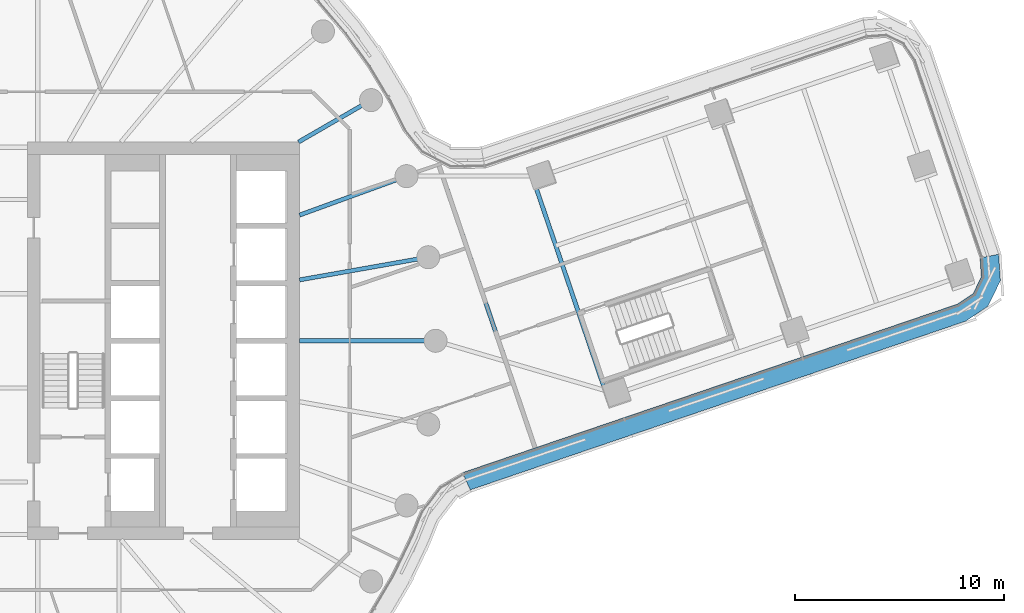
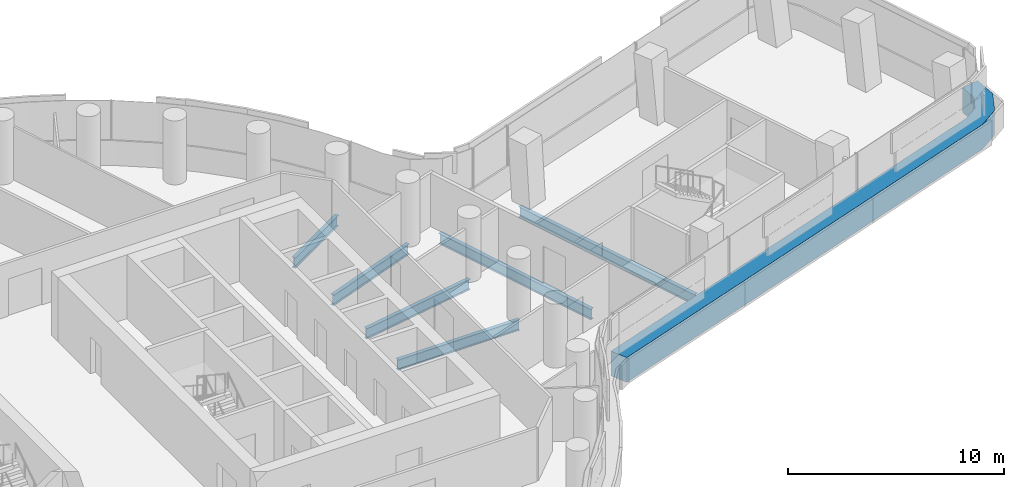
# One storey, part 10 of 29: 6 beams, 1 member, 1 element without a shape of its own.
"""IFC4 building model written with IfcOpenShell, lengths in metres."""

import ifcopenshell
import ifcopenshell.guid

model = None  # the IFC model being written
_history = None  # IfcOwnerHistory: only IFC2X3 demands one
_inside = {}  # id of a spatial element -> (the spatial element, [elements in it])
_under = {}  # id of a project, library or spatial element -> (it, [spatial elements below it])
_declared = {}  # id of a project -> (the project, [libraries it declares])
_typed = {}  # id of a type object -> (the type object, [elements of that type])
_made_of = {}  # id of a material, layer set ... -> (it, [elements and type objects made of it])


def new_model(schema):
    """Start an empty IFC model of exactly this schema.

    Asked for "IFC4X3", IfcOpenShell would pick the latest addendum, in which some entities
    have other attributes; the version numbers below select the first issue.
    IFC2X3 requires an IfcOwnerHistory on every rooted entity: one is made here for all.
    """
    global model, _history
    if schema == "IFC4X3":
        model = ifcopenshell.file(schema_version=(4, 3, 0, 0))
    else:
        model = ifcopenshell.file(schema=schema)
    _inside.clear()
    _under.clear()
    _declared.clear()
    _typed.clear()
    _made_of.clear()
    _history = None
    if model.schema == "IFC2X3":
        org = make("IfcOrganization", Name="unknown")
        user = make(
            "IfcPersonAndOrganization",
            ThePerson=make("IfcPerson", FamilyName="unknown"),
            TheOrganization=org,
        )
        app = make(
            "IfcApplication",
            ApplicationDeveloper=org,
            Version="unknown",
            ApplicationFullName="unknown",
            ApplicationIdentifier="unknown",
        )
        _history = make(
            "IfcOwnerHistory",
            OwningUser=user,
            OwningApplication=app,
            ChangeAction="ADDED",
            CreationDate=0,
        )
    return model


def make(cls, **values):
    """One entity of the class cls with the attributes given. An attribute that is None is left unset."""
    return model.create_entity(
        cls, **{name: value for name, value in values.items() if value is not None}
    )


def rooted(cls, **values):
    """An entity with a GlobalId (a new one), such as an element, a storey or a relation."""
    return make(cls, GlobalId=ifcopenshell.guid.new(), OwnerHistory=_history, **values)


def si_unit(unit_type, name, prefix=None):
    """IfcSIUnit, for example si_unit("LENGTHUNIT", "METRE", prefix="MILLI")."""
    return make("IfcSIUnit", UnitType=unit_type, Prefix=prefix, Name=name)


def assignment(units):
    """IfcUnitAssignment: the units of a project."""
    return None if units is None else make("IfcUnitAssignment", Units=units)


def point(xyz):
    """IfcCartesianPoint."""
    return None if xyz is None else make("IfcCartesianPoint", Coordinates=xyz)


def direction(xyz):
    """IfcDirection."""
    return None if xyz is None else make("IfcDirection", DirectionRatios=xyz)


def frame(location, z_axis=None, x_axis=None):
    """IfcAxis2Placement3D, a coordinate frame: its origin and axes. An axis left out is left unset."""
    return make(
        "IfcAxis2Placement3D",
        Location=point(location),
        Axis=direction(z_axis),
        RefDirection=direction(x_axis),
    )


def frame_2d(location, x_axis=None):
    """IfcAxis2Placement2D, a coordinate frame in the plane: its origin and x axis."""
    return make(
        "IfcAxis2Placement2D", Location=point(location), RefDirection=direction(x_axis)
    )


def origin():
    """The frame at (0, 0, 0) with its axes left unset."""
    return frame((0.0, 0.0, 0.0))


def origin_2d():
    """The frame at (0, 0) in the plane with its x axis left unset."""
    return frame_2d((0.0, 0.0))


def place(relative_to, where):
    """IfcLocalPlacement: puts the frame where relative to a parent placement (None: the world)."""
    return make(
        "IfcLocalPlacement", PlacementRelTo=relative_to, RelativePlacement=where
    )


def context(
    kind, dimensions, precision=None, world=None, true_north=None, identifier=None
):
    """IfcGeometricRepresentationContext, for example the 3D "Model" context."""
    return make(
        "IfcGeometricRepresentationContext",
        ContextIdentifier=identifier,
        ContextType=kind,
        CoordinateSpaceDimension=dimensions,
        Precision=precision,
        WorldCoordinateSystem=world,
        TrueNorth=true_north,
    )


def subcontext(parent, identifier, kind, view, scale=None):
    """IfcGeometricRepresentationSubContext, for example "Body" below "Model"."""
    return make(
        "IfcGeometricRepresentationSubContext",
        ContextIdentifier=identifier,
        ContextType=kind,
        ParentContext=parent,
        TargetScale=scale,
        TargetView=view,
    )


def project(units=None, contexts=None):
    """IfcProject with its units and contexts."""
    return rooted(
        "IfcProject",
        Name="project",
        RepresentationContexts=contexts,
        UnitsInContext=assignment(units),
    )


def spatial(cls, under=None, at=None, **own):
    """A site, building, storey or space (cls), placed at a placement, below another one or the project."""
    s = rooted(cls, ObjectPlacement=at, **own)
    if under is not None:
        _under.setdefault(under.id(), (under, []))[1].append(s)
    return s


def polyline(points):
    """IfcPolyline through the points."""
    return make("IfcPolyline", Points=[point(p) for p in points])


def profile(cls, at=None, kind="AREA", **sizes):
    """A parametric profile (cls). Its sizes go by their IFC names, for example OverallWidth=200.0."""
    return make(cls, ProfileType=kind, Position=at, **sizes)


def i_section(**sizes):
    """IfcIShapeProfileDef."""
    return profile("IfcIShapeProfileDef", **sizes)


def outline(outer, holes=None, kind="AREA"):
    """IfcArbitraryClosedProfileDef: a profile drawn as a closed curve; with holes, ...WithVoids."""
    if holes is None:
        return make("IfcArbitraryClosedProfileDef", ProfileType=kind, OuterCurve=outer)
    return make(
        "IfcArbitraryProfileDefWithVoids",
        ProfileType=kind,
        OuterCurve=outer,
        InnerCurves=holes,
    )


def extrude(swept, where, along, depth):
    """IfcExtrudedAreaSolid: the profile swept, set in the frame where, extruded along a direction by depth."""
    return make(
        "IfcExtrudedAreaSolid",
        SweptArea=swept,
        Position=where,
        ExtrudedDirection=direction(along),
        Depth=depth,
    )


def shape(context_of_items, identifier, shape_type, items):
    """IfcShapeRepresentation: the items that make up one representation, for example the "Body"."""
    return make(
        "IfcShapeRepresentation",
        ContextOfItems=context_of_items,
        RepresentationIdentifier=identifier,
        RepresentationType=shape_type,
        Items=items,
    )


def material(Name=None, Category=None):
    """IfcMaterial."""
    return make("IfcMaterial", Name=Name, Category=Category)


def layer(
    of_material, thickness, ventilated=None, Name=None, Category=None, Priority=None
):
    """IfcMaterialLayer: one layer of a wall or slab, of a material (None: an air gap)."""
    return make(
        "IfcMaterialLayer",
        Material=of_material,
        LayerThickness=thickness,
        IsVentilated=ventilated,
        Name=Name,
        Category=Category,
        Priority=Priority,
    )


def layer_set(layers, Name=None):
    """IfcMaterialLayerSet."""
    return make("IfcMaterialLayerSet", MaterialLayers=layers, LayerSetName=Name)


def material_profile(
    of_material, cross_section, Name=None, Category=None, Priority=None
):
    """IfcMaterialProfile: a cross section and its material."""
    return make(
        "IfcMaterialProfile",
        Name=Name,
        Material=of_material,
        Profile=cross_section,
        Priority=Priority,
        Category=Category,
    )


def profile_set(profiles, Name=None, composite=None):
    """IfcMaterialProfileSet."""
    return make(
        "IfcMaterialProfileSet",
        Name=Name,
        MaterialProfiles=profiles,
        CompositeProfile=composite,
    )


def made_of(thing, what):
    """Note that an element or type object is made of a material, layer set ...; save() writes the relation."""
    if what is not None:
        _made_of.setdefault(what.id(), (what, []))[1].append(thing)
    return thing


def type_object(cls, material=None, **own):
    """A type object (cls), such as IfcWallType, which elements share."""
    return made_of(rooted(cls, **own), material)


def element(
    cls,
    number,
    at=None,
    inside=None,
    cuts=None,
    type_object=None,
    material=None,
    context=None,
    identifier="Body",
    shape_type=None,
    held_by="IfcProductDefinitionShape",
    body=None,
    shapes=None,
    **own,
):
    """One element of the class cls, such as IfcWall. Its Tag is "e" and its number.

    at: its placement. inside: the storey or other place that contains it. cuts: it is an
    opening in that element (IfcRelVoidsElement). A single representation is given by context,
    identifier, shape_type and body (its items); several are given by shapes. held_by: the class
    of the entity that holds the representations. save() writes the other relations.
    """
    e = rooted(cls, Tag="e%d" % number, ObjectPlacement=at, **own)
    if body is not None:
        shapes = [shape(context, identifier, shape_type, body)]
    if shapes is not None:
        e.Representation = make(held_by, Representations=shapes)
    if inside is not None:
        _inside.setdefault(inside.id(), (inside, []))[1].append(e)
    if cuts is not None:
        rooted(
            "IfcRelVoidsElement", RelatingBuildingElement=cuts, RelatedOpeningElement=e
        )
    if type_object is not None:
        _typed.setdefault(type_object.id(), (type_object, []))[1].append(e)
    return made_of(e, material)


def aggregate(whole, parts):
    """IfcRelAggregates: a whole, such as a stair, and the parts it consists of."""
    return rooted("IfcRelAggregates", RelatingObject=whole, RelatedObjects=parts)


def save(model, path):
    """Write the relations noted so far, then the file.

    IfcRelAggregates (storeys below a building ...), IfcRelContainedInSpatialStructure (elements
    in a storey), IfcRelDefinesByType, IfcRelAssociatesMaterial and IfcRelDeclares: one each for
    every whole, place, type object, material and project.
    """
    for whole, parts in _under.values():
        aggregate(whole, parts)
    for where, things in _inside.values():
        rooted(
            "IfcRelContainedInSpatialStructure",
            RelatedElements=things,
            RelatingStructure=where,
        )
    for kind, things in _typed.values():
        rooted("IfcRelDefinesByType", RelatedObjects=things, RelatingType=kind)
    for what, things in _made_of.values():
        rooted("IfcRelAssociatesMaterial", RelatedObjects=things, RelatingMaterial=what)
    for by, libraries in _declared.values():
        rooted("IfcRelDeclares", RelatingContext=by, RelatedDefinitions=libraries)
    model.write(path)


model = new_model("IFC4")

# Units and contexts
model_context = context("Model", 3, precision=1e-05, world=origin(), true_north=direction((0.0, 1.0)))
body_context = subcontext(model_context, "Body", "Model", "MODEL_VIEW")
ifc_project = project(units=[si_unit("LENGTHUNIT", "METRE"), si_unit("AREAUNIT", "SQUARE_METRE"), si_unit("VOLUMEUNIT", "CUBIC_METRE"), si_unit("PLANEANGLEUNIT", "RADIAN"), si_unit("MASSUNIT", "GRAM", prefix="KILO")], contexts=[model_context])

# Site, building, storey
site_placement = place(None, origin())
site = spatial("IfcSite", under=ifc_project, at=site_placement, CompositionType="ELEMENT")
building_placement = place(site_placement, origin())
building = spatial("IfcBuilding", under=site, at=building_placement, Name="Tamarind Cross Interchange Tower", CompositionType="ELEMENT")
storey_placement = place(building_placement, frame((0.0, 0.0, 102.25)))
storey = spatial("IfcBuildingStorey", under=building, at=storey_placement, Name="L24", CompositionType="ELEMENT", Elevation=102.25)

# Beams
ifc_material_1 = material(Name="Steel Q355B", Category="steel")
ifc_material_profile_1 = material_profile(ifc_material_1, i_section(OverallWidth=0.198974609375, OverallDepth=0.595947265625, WebThickness=0.010009765625, FlangeThickness=0.014892578125, FilletRadius=0.012939453125, at=origin_2d()), Name="HN 596x199x10x15")
ifc_profile_set_1 = profile_set([ifc_material_profile_1], Name="Steel Q355B")
beam_type_1 = type_object("IfcBeamType", Name="Composite beam HN 596x199x10x15 Q355B", PredefinedType="BEAM", material=ifc_profile_set_1)
beam_1_placement = place(storey_placement, frame((23.0, 0.0, -0.43798828125), z_axis=(-1.0, 0.0, 0.0), x_axis=(0.0, -1.0, 0.0)))
element("IfcBeam", 1, at=beam_1_placement, inside=storey, type_object=beam_type_1, Name="Beam HH00", PredefinedType="BEAM", context=body_context, shape_type="SweptSolid", body=[
    extrude(i_section(OverallWidth=0.198974609375, OverallDepth=0.595947265625, WebThickness=0.010009765625, FlangeThickness=0.014892578125, FilletRadius=0.012939453125, at=origin_2d()), origin(), (0.0, 0.0, 1.0), 6.5),
])
beam_2_placement = place(storey_placement, frame((22.650634765625, 3.993896484375, -0.43798828125), z_axis=(-0.984809127561, -0.173640382036, 0.0), x_axis=(0.173640382036, -0.984809127561, 0.0)))
element("IfcBeam", 2, at=beam_2_placement, inside=storey, type_object=beam_type_1, Name="Beam HH01", PredefinedType="BEAM", context=body_context, shape_type="SweptSolid", body=[
    extrude(i_section(OverallWidth=0.198974609375, OverallDepth=0.595947265625, WebThickness=0.010009765625, FlangeThickness=0.014892578125, FilletRadius=0.012939453125, at=origin_2d()), origin(), (0.0, 0.0, 1.0), 6.24560546875),
])
beam_3_placement = place(storey_placement, frame((21.613037109375, 7.866455078125, -0.43798828125), z_axis=(-0.939701685589, -0.341995236956, 0.0), x_axis=(0.341995236956, -0.939701685589, 0.0)))
element("IfcBeam", 3, at=beam_3_placement, inside=storey, type_object=beam_type_1, Name="Beam HH02", PredefinedType="BEAM", context=body_context, shape_type="SweptSolid", body=[
    extrude(i_section(OverallWidth=0.198974609375, OverallDepth=0.595947265625, WebThickness=0.010009765625, FlangeThickness=0.014892578125, FilletRadius=0.012939453125, at=origin_2d()), origin(), (0.0, 0.0, 1.0), 5.441162109375),
])
beam_4_placement = place(storey_placement, frame((19.918701171875, 11.5, -0.43798828125), z_axis=(-0.866026010844, -0.49999894854, 0.0), x_axis=(0.49999894854, -0.866026010844, 0.0)))
element("IfcBeam", 4, at=beam_4_placement, inside=storey, type_object=beam_type_1, Name="Beam HH03", PredefinedType="BEAM", context=body_context, shape_type="SweptSolid", body=[
    extrude(i_section(OverallWidth=0.198974609375, OverallDepth=0.595947265625, WebThickness=0.010009765625, FlangeThickness=0.014892578125, FilletRadius=0.012939453125, at=origin_2d()), origin(), (0.0, 0.0, 1.0), 4.0),
])
ifc_material_profile_2 = material_profile(ifc_material_1, i_section(OverallWidth=0.199951171875, OverallDepth=0.60009765625, WebThickness=0.010986328125, FlangeThickness=0.01708984375, FilletRadius=0.012939453125, at=origin_2d()), Name="HN 600x200x11x17")
ifc_profile_set_2 = profile_set([ifc_material_profile_2], Name="Steel Q355B")
beam_type_2 = type_object("IfcBeamType", Name="Composite beam HN 600x200x11x17 Q355B", PredefinedType="BEAM", material=ifc_profile_set_2)
beam_5_placement = place(storey_placement, frame((31.101806640625, -2.375732421875, -0.43994140625), z_axis=(-0.322372491002, 0.946612897147, 0.0), x_axis=(-0.946612897147, -0.322372491002, 0.0)))
element("IfcBeam", 5, at=beam_5_placement, inside=storey, type_object=beam_type_2, Name="Beam E-x298", PredefinedType="BEAM", context=body_context, shape_type="SweptSolid", body=[
    extrude(i_section(OverallWidth=0.199951171875, OverallDepth=0.60009765625, WebThickness=0.010986328125, FlangeThickness=0.01708984375, FilletRadius=0.012939453125, at=origin_2d()), origin(), (0.0, 0.0, 1.0), 10.8349609375),
])
beam_6_placement = place(storey_placement, frame((26.3486328125, -0.98193359375, -0.43994140625), z_axis=(-0.322361358692, 0.946616688223, 0.0), x_axis=(-0.946616688223, -0.322361358692, 0.0)))
element("IfcBeam", 6, at=beam_6_placement, inside=storey, type_object=beam_type_2, Name="Beam E-x258", PredefinedType="BEAM", context=body_context, shape_type="SweptSolid", body=[
    extrude(i_section(OverallWidth=0.199951171875, OverallDepth=0.60009765625, WebThickness=0.010986328125, FlangeThickness=0.01708984375, FilletRadius=0.012939453125, at=origin_2d()), origin(), (0.0, 0.0, 1.0), 9.351806640625),
])

# Curtain wall, member
ifc_material_2 = material(Name="Aluminium 6063-T6", Category="aluminium")
ifc_layer = layer(ifc_material_2, 0.159912109375)
ifc_layer_set = layer_set([ifc_layer], Name="Aluminium 6063-T6")
curtain_wall_type = type_object("IfcCurtainWallType", Name="Office curtain wall, 9.0 m bays", PredefinedType="NOTDEFINED", material=ifc_layer_set)
curtain_wall_placement = place(storey_placement, origin())
curtain_wall = element("IfcCurtainWall", 7, at=curtain_wall_placement, inside=storey, type_object=curtain_wall_type, Name="CWS-L24-07", PredefinedType="NOTDEFINED")
ifc_material_3 = material(Name="Aluminium and insulated spandrel panel", Category="aluminium")
member_type = type_object("IfcMemberType", Name="Floor-edge blade transom", PredefinedType="USERDEFINED", material=ifc_material_3)
member_placement = place(storey_placement, origin())
member = element("IfcMember", 8, at=member_placement, type_object=member_type, Name="CWT-L24-07", ObjectType="TRANSOM", PredefinedType="USERDEFINED", context=body_context, shape_type="SweptSolid", body=[
    extrude(outline(polyline([(24.28466796875, -6.2998046875), (47.927490234375, 1.751708984375), (48.68798828125, 2.26123046875), (49.07421875, 3.0458984375), (49.013427734375, 3.959228515625), (49.903564453125, 4.13720703125), (49.988037109375, 2.864990234375), (49.38916015625, 1.6474609375), (48.329833984375, 0.93798828125), (24.659423828125, -7.123046875), (24.28466796875, -6.2998046875)])), origin(), (0.0, 0.0, 1.0), 1.39990234375),
])
aggregate(curtain_wall, [member])

save(model, "model.ifc")
